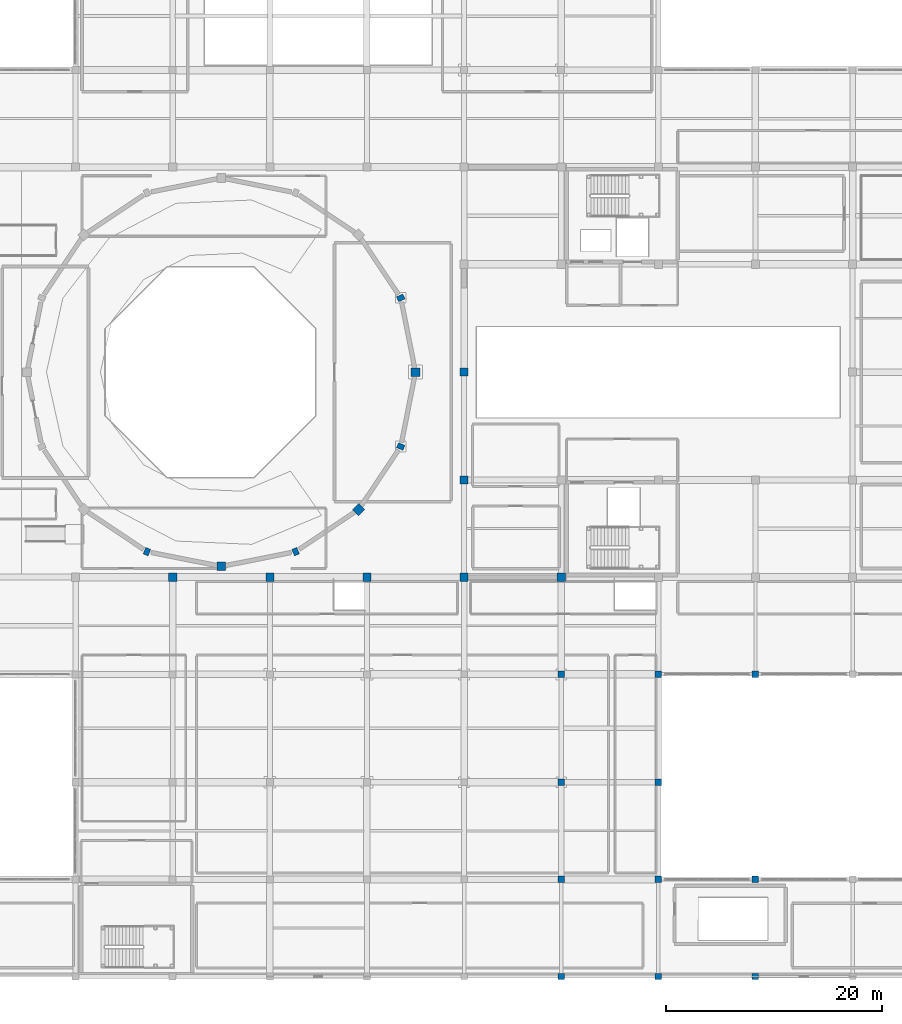
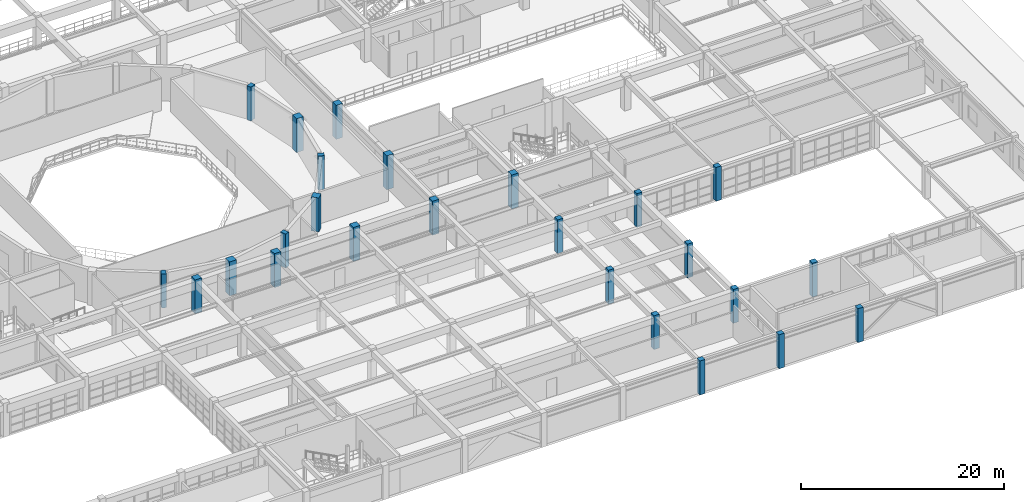
# One storey, part 5 of 130: 25 columns.
"""IFC4 building model written with IfcOpenShell, lengths in metres."""

from ifc_helpers import new_model, si_unit, direction, frame, origin, origin_2d, place, context, subcontext, project, spatial, rectangle, extrude, material, material_profile, profile_set, type_object, element, save


model = new_model("IFC4")

# Units and contexts
model_context = context("Model", 3, precision=1e-05, world=origin(), true_north=direction((0.0, 1.0)))
body_context = subcontext(model_context, "Body", "Model", "MODEL_VIEW")
ifc_project = project(units=[si_unit("LENGTHUNIT", "METRE"), si_unit("AREAUNIT", "SQUARE_METRE"), si_unit("VOLUMEUNIT", "CUBIC_METRE"), si_unit("PLANEANGLEUNIT", "RADIAN"), si_unit("MASSUNIT", "GRAM", prefix="KILO")], contexts=[model_context])

# Site, building, storey
site_placement = place(None, origin())
site = spatial("IfcSite", under=ifc_project, at=site_placement, CompositionType="ELEMENT")
building_placement = place(site_placement, origin())
building = spatial("IfcBuilding", under=site, at=building_placement, Name="Miravela Opera House", CompositionType="ELEMENT")
storey_placement = place(building_placement, frame((0.0, 0.0, 9.52001953125)))
storey = spatial("IfcBuildingStorey", under=building, at=storey_placement, Name="L02", CompositionType="ELEMENT", Elevation=9.52001953125)

# Columns
ifc_material_1 = material(Name="Concrete C35/45", Category="concrete")
ifc_material_profile_1 = material_profile(ifc_material_1, rectangle(XDim=0.60009765625, YDim=0.60009765625, at=origin_2d()), Name="RC-COL-600X600")
ifc_profile_set_1 = profile_set([ifc_material_profile_1])
column_type_1 = type_object("IfcColumnType", Name="STR-COL-RC600", PredefinedType="COLUMN", material=ifc_profile_set_1)
for number, where, z_axis, x_axis, name in (
    (1, (108.0, 0.0, 0.0), (0.0, 0.0, 1.0), (1.0, 0.0, 0.0), "Column C-13A (L02)"),
    (2, (108.0, 9.0, 0.0), (0.0, 0.0, 1.0), (1.0, 0.0, 0.0), "Column C-13B (L02)"),
    (3, (108.0, 18.0, 0.0), (0.0, 0.0, 1.0), (1.0, 0.0, 0.0), "Column C-13C (L02)"),
    (4, (108.0, 28.0, 0.0), (0.0, 0.0, 1.0), (1.0, 0.0, 0.0), "Column C-13D (L02)"),
    (5, (117.0, 0.0, 0.0), (0.0, 0.0, 1.0), (1.0, 0.0, 0.0), "Column C-14A (L02)"),
    (6, (117.0, 9.0, 0.0), (0.0, 0.0, 1.0), (1.0, 0.0, 0.0), "Column C-14B (L02)"),
    (7, (117.0, 18.0, 0.0), (0.0, 0.0, 1.0), (1.0, 0.0, 0.0), "Column C-14C (L02)"),
    (8, (117.0, 28.0, 0.0), (0.0, 0.0, 1.0), (1.0, 0.0, 0.0), "Column C-14D (L02)"),
    (9, (126.0, 0.0, 0.0), (0.0, 0.0, 1.0), (1.0, 0.0, 0.0), "Column C-15A (L02)"),
    (10, (126.0, 9.0, 0.0), (0.0, 0.0, 1.0), (1.0, 0.0, 0.0), "Column C-15B (L02)"),
    (11, (126.0, 28.0, 0.0), (0.0, 0.0, 1.0), (1.0, 0.0, 0.0), "Column C-15D (L02)"),
):
    element("IfcColumn", number, at=place(storey_placement, frame(where, z_axis=z_axis, x_axis=x_axis)), inside=storey, type_object=column_type_1, Name=name, PredefinedType="COLUMN", context=body_context, shape_type="SweptSolid", body=[
        extrude(rectangle(XDim=0.60009765625, YDim=0.60009765625, at=origin_2d()), origin(), (0.0, 0.0, 1.0), 4.080078125),
    ])
ifc_material_profile_2 = material_profile(ifc_material_1, rectangle(XDim=0.75, YDim=0.75, at=origin_2d()), Name="RC-COL-750X750")
ifc_profile_set_2 = profile_set([ifc_material_profile_2])
column_type_2 = type_object("IfcColumnType", Name="STR-COL-RC750", PredefinedType="COLUMN", material=ifc_profile_set_2)
for number, where, z_axis, x_axis, name in (
    (12, (81.0, 37.0, 0.0), (0.0, 0.0, 1.0), (1.0, 0.0, 0.0), "Column C-10E (L02)"),
    (13, (90.0, 37.0, 0.0), (0.0, 0.0, 1.0), (1.0, 0.0, 0.0), "Column C-11E (L02)"),
    (14, (99.0, 37.0, 0.0), (0.0, 0.0, 1.0), (1.0, 0.0, 0.0), "Column C-12E (L02)"),
    (15, (99.0, 46.0, 0.0), (0.0, 0.0, 1.0), (1.0, 0.0, 0.0), "Column C-12F (L02)"),
    (16, (99.0, 56.0, 0.0), (0.0, 0.0, 1.0), (1.0, 0.0, 0.0), "Column C-12G (L02)"),
    (17, (108.0, 37.0, 0.0), (0.0, 0.0, 1.0), (1.0, 0.0, 0.0), "Column C-13E (L02)"),
    (18, (72.0, 37.0, 0.0), (0.0, 0.0, 1.0), (1.0, 0.0, 0.0), "Column C-9E (L02)"),
):
    element("IfcColumn", number, at=place(storey_placement, frame(where, z_axis=z_axis, x_axis=x_axis)), inside=storey, type_object=column_type_2, Name=name, PredefinedType="COLUMN", context=body_context, shape_type="SweptSolid", body=[
        extrude(rectangle(XDim=0.75, YDim=0.75, at=origin_2d()), origin(), (0.0, 0.0, 1.0), 4.080078125),
    ])
ifc_material_profile_3 = material_profile(ifc_material_1, rectangle(XDim=0.64990234375, YDim=0.5, at=origin_2d()), Name="RC-PIL-650X500")
ifc_profile_set_3 = profile_set([ifc_material_profile_3])
column_type_3 = type_object("IfcColumnType", Name="STR-PIL-RC650X500", PredefinedType="PILASTER", material=ifc_profile_set_3)
for number, where, z_axis, x_axis, name in (
    (19, (93.1298828125, 62.88818359375, 0.0), (0.0, 0.0, 1.0), (0.923879532511, 0.382683432365, 0.0), "Auditorium Drum Column DC-02 (L02)"),
    (20, (69.61181640625, 39.3701171875, 0.0), (0.0, 0.0, 1.0), (-0.382683432365, -0.923879532511, 0.0), "Auditorium Drum Column DC-12 (L02)"),
    (21, (83.38818359375, 39.3701171875, 0.0), (0.0, 0.0, 1.0), (0.382683432365, -0.923879532511, 0.0), "Auditorium Drum Column DC-14 (L02)"),
    (22, (93.1298828125, 49.11181640625, 0.0), (0.0, 0.0, 1.0), (0.923879532511, -0.382683432365, 0.0), "Auditorium Drum Column DC-16 (L02)"),
):
    element("IfcColumn", number, at=place(storey_placement, frame(where, z_axis=z_axis, x_axis=x_axis)), inside=storey, type_object=column_type_3, Name=name, PredefinedType="PILASTER", context=body_context, shape_type="SweptSolid", body=[
        extrude(rectangle(XDim=0.64990234375, YDim=0.5, at=origin_2d()), origin(), (0.0, 0.0, 1.0), 4.080078125),
    ])
ifc_material_2 = material(Name="Concrete C40/50", Category="concrete")
ifc_material_profile_4 = material_profile(ifc_material_2, rectangle(XDim=0.800048828125, YDim=0.800048828125, at=origin_2d()), Name="RC-COL-800X800")
ifc_profile_set_4 = profile_set([ifc_material_profile_4])
column_type_4 = type_object("IfcColumnType", Name="STR-PIL-RC800", PredefinedType="PILASTER", material=ifc_profile_set_4)
for number, where, z_axis, x_axis, name in (
    (23, (94.5, 56.0, 0.0), (0.0, 0.0, 1.0), (1.0, 0.0, 0.0), "Auditorium Drum Column DC-01 (L02)"),
    (24, (76.5, 38.0, 0.0), (0.0, 0.0, 1.0), (0.0, -1.0, 0.0), "Auditorium Drum Column DC-13 (L02)"),
    (25, (89.227783203125, 43.272216796875, 0.0), (0.0, 0.0, 1.0), (0.707106781187, -0.707106781187, 0.0), "Auditorium Drum Column DC-15 (L02)"),
):
    element("IfcColumn", number, at=place(storey_placement, frame(where, z_axis=z_axis, x_axis=x_axis)), inside=storey, type_object=column_type_4, Name=name, PredefinedType="PILASTER", context=body_context, shape_type="SweptSolid", body=[
        extrude(rectangle(XDim=0.800048828125, YDim=0.800048828125, at=origin_2d()), origin(), (0.0, 0.0, 1.0), 4.080078125),
    ])

save(model, "model.ifc")
